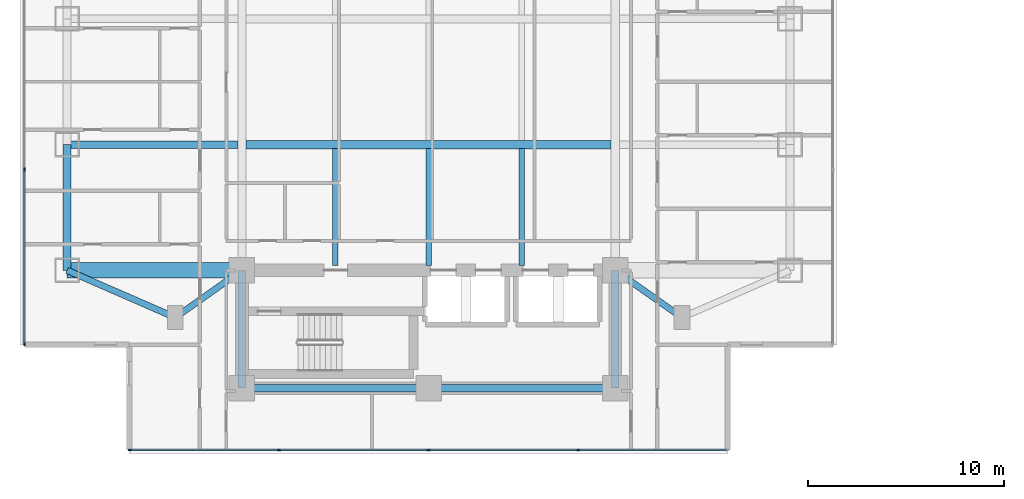
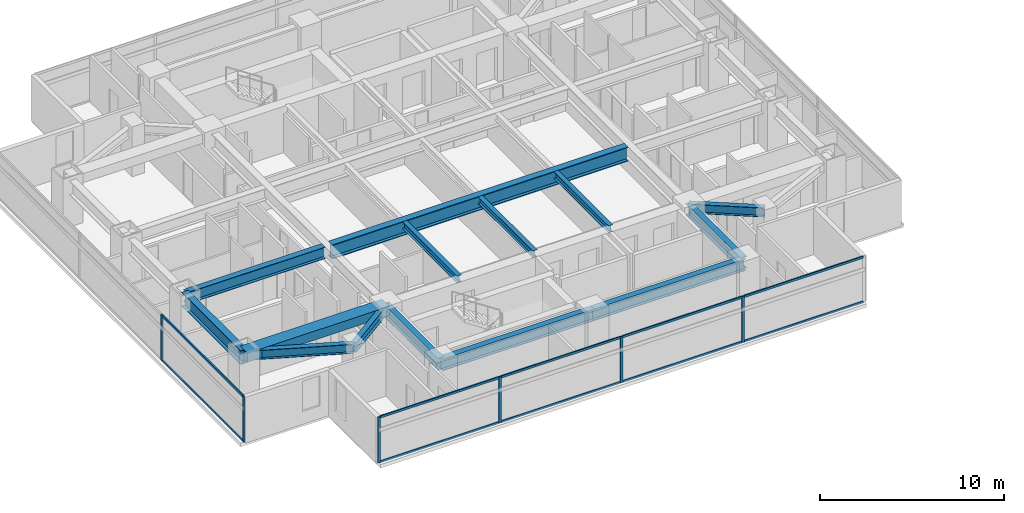
# One storey, part 2 of 27: 16 members, 14 beams, 2 elements without a shape of their own.
"""IFC4 building model written with IfcOpenShell, lengths in metres."""

from ifc_helpers import new_model, si_unit, direction, frame, origin, origin_2d, place, context, subcontext, project, spatial, rectangle, i_section, extrude, material, material_profile, profile_set, type_object, element, aggregate, save


model = new_model("IFC4")

# Units and contexts
model_context = context("Model", 3, precision=1e-05, world=origin(), true_north=direction((0.0, 1.0)))
body_context = subcontext(model_context, "Body", "Model", "MODEL_VIEW")
ifc_project = project(units=[si_unit("LENGTHUNIT", "METRE"), si_unit("AREAUNIT", "SQUARE_METRE"), si_unit("VOLUMEUNIT", "CUBIC_METRE"), si_unit("PLANEANGLEUNIT", "RADIAN"), si_unit("MASSUNIT", "GRAM", prefix="KILO")], contexts=[model_context])

# Site, building, storey
site_placement = place(None, origin())
site = spatial("IfcSite", under=ifc_project, at=site_placement, CompositionType="ELEMENT")
building_placement = place(site_placement, origin())
building = spatial("IfcBuilding", under=site, at=building_placement, Name="Mirazonda Arch Towers", CompositionType="ELEMENT")
storey_placement = place(building_placement, frame((0.0, 0.0, 52.10009765625)))
storey = spatial("IfcBuildingStorey", under=building, at=storey_placement, Name="L14", CompositionType="ELEMENT", Elevation=52.10009765625)

# Beams
ifc_material_1 = material(Name="Steel ASTM A992 Grade 50", Category="steel")
ifc_material_profile_1 = material_profile(ifc_material_1, i_section(OverallWidth=0.41796875, OverallDepth=0.927001953125, WebThickness=0.019287109375, FlangeThickness=0.031982421875, at=origin_2d()), Name="W36X231")
ifc_profile_set_1 = profile_set([ifc_material_profile_1], Name="Steel ASTM A992 Grade 50")
beam_type_1 = type_object("IfcBeamType", Name="BM-EXT-W36X231", PredefinedType="USERDEFINED", material=ifc_profile_set_1)
beam_1_placement = place(storey_placement, frame((2.10009765625, 18.39990234375, 2.596435546875), z_axis=(0.0, 1.0, 0.0), x_axis=(-1.0, 0.0, 0.0)))
element("IfcBeam", 1, at=beam_1_placement, inside=storey, type_object=beam_type_1, Name="L14 Floor Beam BM-T1-L14-NS-W-18", ObjectType="GIRDER", PredefinedType="USERDEFINED", context=body_context, shape_type="SweptSolid", body=[
    extrude(i_section(OverallWidth=0.41796875, OverallDepth=0.927001953125, WebThickness=0.019287109375, FlangeThickness=0.031982421875, at=origin_2d()), origin(), (0.0, 0.0, 1.0), 6.400146484375),
])
ifc_material_profile_2 = material_profile(ifc_material_1, i_section(OverallWidth=0.280029296875, OverallDepth=0.462890625, WebThickness=0.0107421875, FlangeThickness=0.017333984375, at=origin_2d()), Name="W18X76")
ifc_profile_set_2 = profile_set([ifc_material_profile_2], Name="Steel ASTM A992 Grade 50")
beam_type_2 = type_object("IfcBeamType", Name="BM-INT-W18X76", PredefinedType="JOIST", material=ifc_profile_set_2)
for number, where, z_axis, x_axis, name in (
    (2, (15.75, 18.639892578125, 2.828369140625), (0.0, 1.0, 0.0), (-1.0, 0.0, 0.0), "L14 Floor Beam BM-T1-L14-J-157-18"),
    (3, (20.5, 18.639892578125, 2.828369140625), (0.0, 1.0, 0.0), (-1.0, 0.0, 0.0), "L14 Floor Beam BM-T1-L14-J-205-18"),
    (4, (25.25, 18.639892578125, 2.828369140625), (0.0, 1.0, 0.0), (-1.0, 0.0, 0.0), "L14 Floor Beam BM-T1-L14-J-252-18"),
):
    element("IfcBeam", number, at=place(storey_placement, frame(where, z_axis=z_axis, x_axis=x_axis)), inside=storey, type_object=beam_type_2, Name=name, PredefinedType="JOIST", context=body_context, shape_type="SweptSolid", body=[
        extrude(i_section(OverallWidth=0.280029296875, OverallDepth=0.462890625, WebThickness=0.0107421875, FlangeThickness=0.017333984375, at=origin_2d()), origin(), (0.0, 0.0, 1.0), 5.95263671875),
    ])
ifc_material_profile_3 = material_profile(ifc_material_1, i_section(OverallWidth=0.324951171875, OverallDepth=0.615966796875, WebThickness=0.013916015625, FlangeThickness=0.021484375, at=origin_2d()), Name="W24X117")
ifc_profile_set_3 = profile_set([ifc_material_profile_3], Name="Steel ASTM A992 Grade 50")
beam_type_3 = type_object("IfcBeamType", Name="BM-INT-W24X117", PredefinedType="BEAM", material=ifc_profile_set_3)
beam_2_placement = place(storey_placement, frame((7.60009765625, 16.0, 2.751953125), z_axis=(0.816971114901, 0.576678591087, 0.0), x_axis=(-0.576678591087, 0.816971114901, 0.0)))
element("IfcBeam", 5, at=beam_2_placement, inside=storey, type_object=beam_type_3, Name="L14 Floor Beam BM-T1-L14-PL-SW1", PredefinedType="BEAM", context=body_context, shape_type="SweptSolid", body=[
    extrude(i_section(OverallWidth=0.324951171875, OverallDepth=0.615966796875, WebThickness=0.013916015625, FlangeThickness=0.021484375, at=origin_2d()), origin(), (0.0, 0.0, 1.0), 4.16162109375),
])
beam_3_placement = place(storey_placement, frame((7.60009765625, 16.0, 2.751953125), z_axis=(-0.916545343703, 0.399930785183, 0.0), x_axis=(-0.399930785183, -0.916545343703, 0.0)))
element("IfcBeam", 6, at=beam_3_placement, inside=storey, type_object=beam_type_3, Name="L14 Floor Beam BM-T1-L14-PL-SW2", PredefinedType="BEAM", context=body_context, shape_type="SweptSolid", body=[
    extrude(i_section(OverallWidth=0.324951171875, OverallDepth=0.615966796875, WebThickness=0.013916015625, FlangeThickness=0.021484375, at=origin_2d()), origin(), (0.0, 0.0, 1.0), 6.000732421875),
])
beam_4_placement = place(storey_placement, frame((33.39990234375, 16.0, 2.751953125), z_axis=(-0.816971114901, 0.576678591087, 0.0), x_axis=(-0.576678591087, -0.816971114901, 0.0)))
element("IfcBeam", 7, at=beam_4_placement, inside=storey, type_object=beam_type_3, Name="L14 Floor Beam BM-T1-L14-PL-SE1", PredefinedType="BEAM", context=body_context, shape_type="SweptSolid", body=[
    extrude(i_section(OverallWidth=0.324951171875, OverallDepth=0.615966796875, WebThickness=0.013916015625, FlangeThickness=0.021484375, at=origin_2d()), origin(), (0.0, 0.0, 1.0), 4.16162109375),
])
ifc_material_profile_4 = material_profile(ifc_material_1, i_section(OverallWidth=0.381103515625, OverallDepth=0.77294921875, WebThickness=0.0166015625, FlangeThickness=0.027099609375, at=origin_2d()), Name="W30X173")
ifc_profile_set_4 = profile_set([ifc_material_profile_4], Name="Steel ASTM A992 Grade 50")
beam_type_4 = type_object("IfcBeamType", Name="BM-INT-W30X173", PredefinedType="USERDEFINED", material=ifc_profile_set_4)
beam_5_placement = place(storey_placement, frame((2.10009765625, 24.800048828125, 2.67333984375), z_axis=(1.0, 0.0, 0.0), x_axis=(0.0, 1.0, 0.0)))
element("IfcBeam", 8, at=beam_5_placement, inside=storey, type_object=beam_type_4, Name="L14 Floor Beam BM-T1-L14-GW2", ObjectType="GIRDER", PredefinedType="USERDEFINED", context=body_context, shape_type="SweptSolid", body=[
    extrude(i_section(OverallWidth=0.381103515625, OverallDepth=0.77294921875, WebThickness=0.0166015625, FlangeThickness=0.027099609375, at=origin_2d()), origin(), (0.0, 0.0, 1.0), 8.6884765625),
])
for number, where, z_axis, x_axis, name in (
    (9, (11.0, 12.39990234375, 2.67333984375), (1.0, 0.0, 0.0), (0.0, 1.0, 0.0), "L14 Floor Beam BM-T1-L14-CS1"),
    (10, (20.5, 12.39990234375, 2.67333984375), (1.0, 0.0, 0.0), (0.0, 1.0, 0.0), "L14 Floor Beam BM-T1-L14-CS2"),
):
    element("IfcBeam", number, at=place(storey_placement, frame(where, z_axis=z_axis, x_axis=x_axis)), inside=storey, type_object=beam_type_4, Name=name, ObjectType="GIRDER", PredefinedType="USERDEFINED", context=body_context, shape_type="SweptSolid", body=[
        extrude(i_section(OverallWidth=0.381103515625, OverallDepth=0.77294921875, WebThickness=0.0166015625, FlangeThickness=0.027099609375, at=origin_2d()), origin(), (0.0, 0.0, 1.0), 9.5),
    ])
for number, where, z_axis, x_axis, name in (
    (11, (11.0, 12.39990234375, 2.67333984375), (0.0, 1.0, 0.0), (-1.0, 0.0, 0.0), "L14 Floor Beam BM-T1-L14-CSW"),
    (12, (30.0, 12.39990234375, 2.67333984375), (0.0, 1.0, 0.0), (-1.0, 0.0, 0.0), "L14 Floor Beam BM-T1-L14-CSE"),
):
    element("IfcBeam", number, at=place(storey_placement, frame(where, z_axis=z_axis, x_axis=x_axis)), inside=storey, type_object=beam_type_4, Name=name, ObjectType="GIRDER", PredefinedType="USERDEFINED", context=body_context, shape_type="SweptSolid", body=[
        extrude(i_section(OverallWidth=0.381103515625, OverallDepth=0.77294921875, WebThickness=0.0166015625, FlangeThickness=0.027099609375, at=origin_2d()), origin(), (0.0, 0.0, 1.0), 6.0),
    ])
ifc_material_profile_5 = material_profile(ifc_material_1, i_section(OverallWidth=0.423095703125, OverallDepth=0.947998046875, WebThickness=0.02392578125, FlangeThickness=0.042724609375, at=origin_2d()), Name="W36X302")
ifc_profile_set_5 = profile_set([ifc_material_profile_5], Name="Steel ASTM A992 Grade 50")
beam_type_5 = type_object("IfcBeamType", Name="BM-INT-W36X302", PredefinedType="USERDEFINED", material=ifc_profile_set_5)
beam_6_placement = place(storey_placement, frame((11.21142578125, 24.800048828125, 2.5859375), z_axis=(1.0, 0.0, 0.0), x_axis=(0.0, 1.0, 0.0)))
element("IfcBeam", 13, at=beam_6_placement, inside=storey, type_object=beam_type_5, Name="L14 Floor Beam BM-T1-L14-GC2", ObjectType="GIRDER", PredefinedType="USERDEFINED", context=body_context, shape_type="SweptSolid", body=[
    extrude(i_section(OverallWidth=0.423095703125, OverallDepth=0.947998046875, WebThickness=0.02392578125, FlangeThickness=0.042724609375, at=origin_2d()), origin(), (0.0, 0.0, 1.0), 18.5771484375),
])
ifc_material_2 = material(Name="Concrete C60/75", Category="concrete")
ifc_material_profile_6 = material_profile(ifc_material_2, rectangle(XDim=0.800048828125, YDim=0.60009765625, at=origin_2d()), Name="RCCB800x600")
ifc_profile_set_6 = profile_set([ifc_material_profile_6], Name="Concrete C60/75")
beam_type_6 = type_object("IfcBeamType", Name="CB-INT-RCCB800x600", PredefinedType="SPANDREL", material=ifc_profile_set_6)
beam_7_placement = place(storey_placement, frame((2.10009765625, 18.39990234375, 2.760009765625), z_axis=(1.0, 0.0, 0.0), x_axis=(0.0, 1.0, 0.0)))
element("IfcBeam", 14, at=beam_7_placement, inside=storey, type_object=beam_type_6, Name="L14 Floor Beam CBC-T1-L14-SW", PredefinedType="SPANDREL", context=body_context, shape_type="SweptSolid", body=[
    extrude(rectangle(XDim=0.800048828125, YDim=0.60009765625, at=origin_2d()), origin(), (0.0, 0.0, 1.0), 8.89990234375),
])

# Curtain wall, members
ifc_material_3 = material(Name="Anodised Aluminium and Low-E Glass", Category="aluminium")
curtain_wall_type = type_object("IfcCurtainWallType", Name="CW-HTL-UNIT", PredefinedType="NOTDEFINED", material=ifc_material_3)
curtain_wall_1_placement = place(storey_placement, origin())
curtain_wall_1 = element("IfcCurtainWall", 15, at=curtain_wall_1_placement, inside=storey, type_object=curtain_wall_type, Name="L14 T1 S Facade CW-L14-T1-S", PredefinedType="NOTDEFINED")
ifc_material_4 = material(Name="Anodised Aluminium Alloy", Category="aluminium")
ifc_material_profile_7 = material_profile(ifc_material_4, rectangle(XDim=0.074951171875, YDim=0.1650390625, at=origin_2d()), Name="ALU-MULL-75x165")
ifc_profile_set_7 = profile_set([ifc_material_profile_7], Name="Anodised Aluminium Alloy")
member_type_1 = type_object("IfcMemberType", Name="MULL-CW-HTL-UNIT", PredefinedType="MULLION", material=ifc_profile_set_7)
member_1_placement = place(storey_placement, frame((28.1201171875, 9.260009765625, 0.0), z_axis=(0.0, 0.0, 1.0), x_axis=(0.0, -1.0, 0.0)))
member_1 = element("IfcMember", 16, at=member_1_placement, type_object=member_type_1, Name="CW-112 mullion 2", PredefinedType="MULLION", context=body_context, shape_type="SweptSolid", body=[
    extrude(rectangle(XDim=0.074951171875, YDim=0.1650390625, at=origin_2d()), origin(), (0.0, 0.0, 1.0), 3.039794921875),
])
member_2_placement = place(storey_placement, frame((20.5, 9.260009765625, 0.0), z_axis=(0.0, 0.0, 1.0), x_axis=(0.0, -1.0, 0.0)))
member_2 = element("IfcMember", 17, at=member_2_placement, type_object=member_type_1, Name="CW-112 mullion 3", PredefinedType="MULLION", context=body_context, shape_type="SweptSolid", body=[
    extrude(rectangle(XDim=0.074951171875, YDim=0.1650390625, at=origin_2d()), origin(), (0.0, 0.0, 1.0), 3.039794921875),
])
member_3_placement = place(storey_placement, frame((12.8798828125, 9.260009765625, 0.0), z_axis=(0.0, 0.0, 1.0), x_axis=(0.0, -1.0, 0.0)))
member_3 = element("IfcMember", 18, at=member_3_placement, type_object=member_type_1, Name="CW-112 mullion 4", PredefinedType="MULLION", context=body_context, shape_type="SweptSolid", body=[
    extrude(rectangle(XDim=0.074951171875, YDim=0.1650390625, at=origin_2d()), origin(), (0.0, 0.0, 1.0), 3.039794921875),
])
member_4_placement = place(storey_placement, frame((5.297607421875, 9.260009765625, 0.0), z_axis=(0.0, 0.0, 1.0), x_axis=(0.0, -1.0, 0.0)))
member_4 = element("IfcMember", 19, at=member_4_placement, type_object=member_type_1, Name="CW-112 mullion 5", PredefinedType="MULLION", context=body_context, shape_type="SweptSolid", body=[
    extrude(rectangle(XDim=0.074951171875, YDim=0.1650390625, at=origin_2d()), origin(), (0.0, 0.0, 1.0), 3.039794921875),
])

curtain_wall_2_placement = place(storey_placement, origin())
curtain_wall_2 = element("IfcCurtainWall", 20, at=curtain_wall_2_placement, inside=storey, type_object=curtain_wall_type, Name="L14 T1 W Facade CW-L14-T1-W", PredefinedType="NOTDEFINED")
member_5_placement = place(storey_placement, frame((-0.080078125, 23.533447265625, 0.0), z_axis=(0.0, 0.0, 1.0), x_axis=(1.0, 0.0, 0.0)))
member_5 = element("IfcMember", 21, at=member_5_placement, type_object=member_type_1, Name="CW-112 mullion 3", PredefinedType="MULLION", context=body_context, shape_type="SweptSolid", body=[
    extrude(rectangle(XDim=0.074951171875, YDim=0.1650390625, at=origin_2d()), origin(), (0.0, 0.0, 1.0), 3.039794921875),
])
member_6_placement = place(storey_placement, frame((-0.080078125, 14.637451171875, 0.0), z_axis=(0.0, 0.0, 1.0), x_axis=(1.0, 0.0, 0.0)))
member_6 = element("IfcMember", 22, at=member_6_placement, type_object=member_type_1, Name="CW-112 mullion 4", PredefinedType="MULLION", context=body_context, shape_type="SweptSolid", body=[
    extrude(rectangle(XDim=0.074951171875, YDim=0.1650390625, at=origin_2d()), origin(), (0.0, 0.0, 1.0), 3.039794921875),
])

# Member
ifc_material_profile_8 = material_profile(ifc_material_4, rectangle(XDim=0.074951171875, YDim=0.14501953125, at=origin_2d()), Name="ALU-TRAN-75x145")
ifc_profile_set_8 = profile_set([ifc_material_profile_8], Name="Anodised Aluminium Alloy")
member_type_2 = type_object("IfcMemberType", Name="TRAN-CW-HTL-UNIT", PredefinedType="USERDEFINED", material=ifc_profile_set_8)
member_7_placement = place(storey_placement, frame((35.6650390625, 9.260009765625, 0.037353515625), z_axis=(-1.0, 0.0, 0.0), x_axis=(0.0, -1.0, 0.0)))
member_7 = element("IfcMember", 23, at=member_7_placement, type_object=member_type_2, Name="CW-112 transom 1.1", ObjectType="TRANSOM", PredefinedType="USERDEFINED", context=body_context, shape_type="SweptSolid", body=[
    extrude(rectangle(XDim=0.074951171875, YDim=0.14501953125, at=origin_2d()), origin(), (0.0, 0.0, 1.0), 7.507568359375),
])

member_8_placement = place(storey_placement, frame((35.6650390625, 9.260009765625, 3.00244140625), z_axis=(-1.0, 0.0, 0.0), x_axis=(0.0, -1.0, 0.0)))
member_8 = element("IfcMember", 24, at=member_8_placement, type_object=member_type_2, Name="CW-112 transom 1.2", ObjectType="TRANSOM", PredefinedType="USERDEFINED", context=body_context, shape_type="SweptSolid", body=[
    extrude(rectangle(XDim=0.074951171875, YDim=0.14501953125, at=origin_2d()), origin(), (0.0, 0.0, 1.0), 7.507568359375),
])

member_9_placement = place(storey_placement, frame((28.08251953125, 9.260009765625, 0.037353515625), z_axis=(-1.0, 0.0, 0.0), x_axis=(0.0, -1.0, 0.0)))
member_9 = element("IfcMember", 25, at=member_9_placement, type_object=member_type_2, Name="CW-112 transom 2.1", ObjectType="TRANSOM", PredefinedType="USERDEFINED", context=body_context, shape_type="SweptSolid", body=[
    extrude(rectangle(XDim=0.074951171875, YDim=0.14501953125, at=origin_2d()), origin(), (0.0, 0.0, 1.0), 7.544921875),
])

member_10_placement = place(storey_placement, frame((28.08251953125, 9.260009765625, 3.00244140625), z_axis=(-1.0, 0.0, 0.0), x_axis=(0.0, -1.0, 0.0)))
member_10 = element("IfcMember", 26, at=member_10_placement, type_object=member_type_2, Name="CW-112 transom 2.2", ObjectType="TRANSOM", PredefinedType="USERDEFINED", context=body_context, shape_type="SweptSolid", body=[
    extrude(rectangle(XDim=0.074951171875, YDim=0.14501953125, at=origin_2d()), origin(), (0.0, 0.0, 1.0), 7.544921875),
])

member_11_placement = place(storey_placement, frame((20.46240234375, 9.260009765625, 0.037353515625), z_axis=(-1.0, 0.0, 0.0), x_axis=(0.0, -1.0, 0.0)))
member_11 = element("IfcMember", 27, at=member_11_placement, type_object=member_type_2, Name="CW-112 transom 3.1", ObjectType="TRANSOM", PredefinedType="USERDEFINED", context=body_context, shape_type="SweptSolid", body=[
    extrude(rectangle(XDim=0.074951171875, YDim=0.14501953125, at=origin_2d()), origin(), (0.0, 0.0, 1.0), 7.544921875),
])

member_12_placement = place(storey_placement, frame((20.46240234375, 9.260009765625, 3.00244140625), z_axis=(-1.0, 0.0, 0.0), x_axis=(0.0, -1.0, 0.0)))
member_12 = element("IfcMember", 28, at=member_12_placement, type_object=member_type_2, Name="CW-112 transom 3.2", ObjectType="TRANSOM", PredefinedType="USERDEFINED", context=body_context, shape_type="SweptSolid", body=[
    extrude(rectangle(XDim=0.074951171875, YDim=0.14501953125, at=origin_2d()), origin(), (0.0, 0.0, 1.0), 7.544921875),
])

member_13_placement = place(storey_placement, frame((12.842529296875, 9.260009765625, 0.037353515625), z_axis=(-1.0, 0.0, 0.0), x_axis=(0.0, -1.0, 0.0)))
member_13 = element("IfcMember", 29, at=member_13_placement, type_object=member_type_2, Name="CW-112 transom 4.1", ObjectType="TRANSOM", PredefinedType="USERDEFINED", context=body_context, shape_type="SweptSolid", body=[
    extrude(rectangle(XDim=0.074951171875, YDim=0.14501953125, at=origin_2d()), origin(), (0.0, 0.0, 1.0), 7.507568359375),
])

member_14_placement = place(storey_placement, frame((12.842529296875, 9.260009765625, 3.00244140625), z_axis=(-1.0, 0.0, 0.0), x_axis=(0.0, -1.0, 0.0)))
member_14 = element("IfcMember", 30, at=member_14_placement, type_object=member_type_2, Name="CW-112 transom 4.2", ObjectType="TRANSOM", PredefinedType="USERDEFINED", context=body_context, shape_type="SweptSolid", body=[
    extrude(rectangle(XDim=0.074951171875, YDim=0.14501953125, at=origin_2d()), origin(), (0.0, 0.0, 1.0), 7.507568359375),
])

aggregate(curtain_wall_1, [member_1, member_2, member_3, member_4, member_7, member_8, member_9, member_10, member_11, member_12, member_13, member_14])

member_15_placement = place(storey_placement, frame((-0.080078125, 23.495849609375, 0.037353515625), z_axis=(0.0, -1.0, 0.0), x_axis=(1.0, 0.0, 0.0)))
member_15 = element("IfcMember", 31, at=member_15_placement, type_object=member_type_2, Name="CW-112 transom 3.1", ObjectType="TRANSOM", PredefinedType="USERDEFINED", context=body_context, shape_type="SweptSolid", body=[
    extrude(rectangle(XDim=0.074951171875, YDim=0.14501953125, at=origin_2d()), origin(), (0.0, 0.0, 1.0), 8.82080078125),
])

member_16_placement = place(storey_placement, frame((-0.080078125, 23.495849609375, 3.00244140625), z_axis=(0.0, -1.0, 0.0), x_axis=(1.0, 0.0, 0.0)))
member_16 = element("IfcMember", 32, at=member_16_placement, type_object=member_type_2, Name="CW-112 transom 3.2", ObjectType="TRANSOM", PredefinedType="USERDEFINED", context=body_context, shape_type="SweptSolid", body=[
    extrude(rectangle(XDim=0.074951171875, YDim=0.14501953125, at=origin_2d()), origin(), (0.0, 0.0, 1.0), 8.82080078125),
])

aggregate(curtain_wall_2, [member_5, member_6, member_15, member_16])

save(model, "model.ifc")
